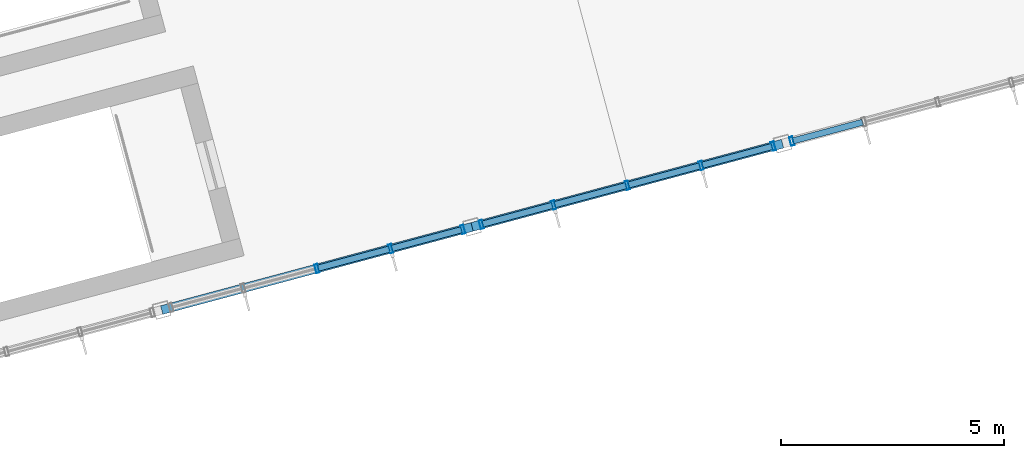
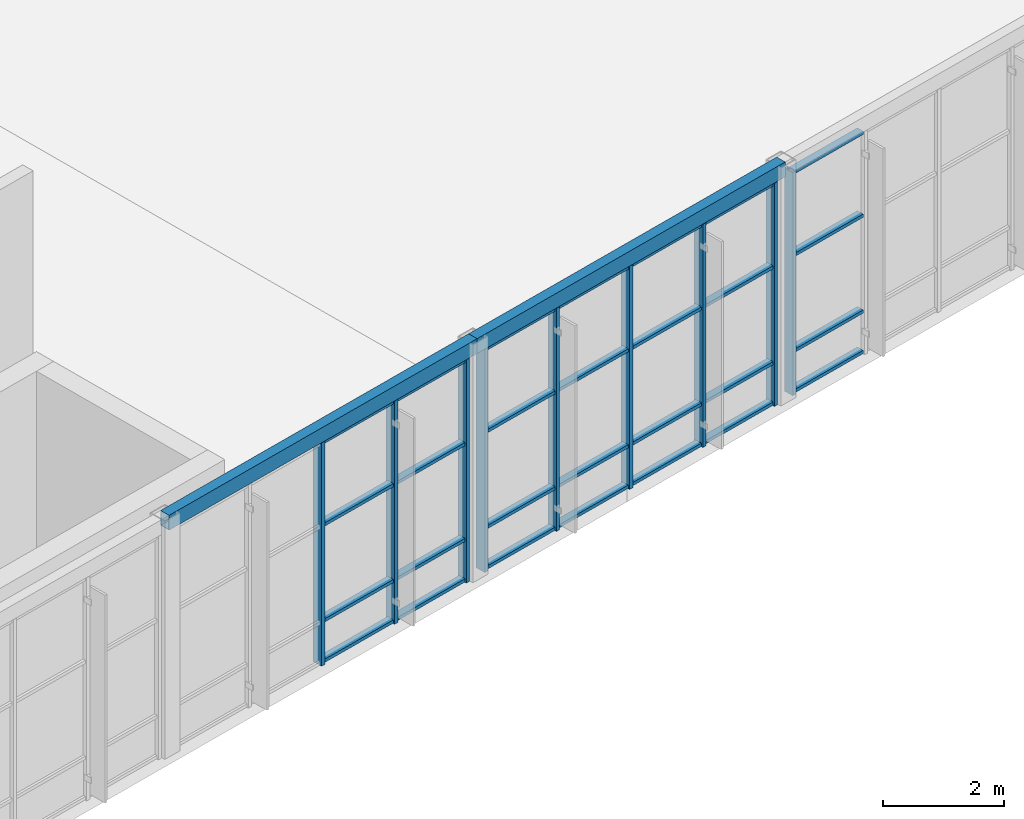
# One storey, part 19 of 99: 37 members, 2 beams, 3 elements without a shape of their own.
"""IFC4 building model written with IfcOpenShell, lengths in metres."""

from ifc_helpers import new_model, si_unit, direction, frame, origin, origin_2d, place, context, subcontext, project, spatial, hollow_rectangle, extrude, material, layer, layer_set, material_profile, profile_set, type_object, element, aggregate, save


model = new_model("IFC4")

# Units and contexts
model_context = context("Model", 3, precision=1e-05, world=origin(), true_north=direction((0.0, 1.0)))
body_context = subcontext(model_context, "Body", "Model", "MODEL_VIEW")
ifc_project = project(units=[si_unit("LENGTHUNIT", "METRE"), si_unit("AREAUNIT", "SQUARE_METRE"), si_unit("VOLUMEUNIT", "CUBIC_METRE"), si_unit("PLANEANGLEUNIT", "RADIAN"), si_unit("MASSUNIT", "GRAM", prefix="KILO")], contexts=[model_context])

# Site, building, storey
site_placement = place(None, origin())
site = spatial("IfcSite", under=ifc_project, at=site_placement, CompositionType="ELEMENT")
building_placement = place(site_placement, origin())
building = spatial("IfcBuilding", under=site, at=building_placement, Name="Ventoquebrada Cableway Terminal", CompositionType="ELEMENT")
storey_placement = place(building_placement, frame((0.0, 0.0, 9.60009765625)))
storey = spatial("IfcBuildingStorey", under=building, at=storey_placement, Name="L02", CompositionType="ELEMENT", Elevation=9.60009765625)

# Curtain wall, members
ifc_material_1 = material(Name="Anodized thermally-broken aluminium", Category="aluminium")
ifc_layer = layer(ifc_material_1, 0.159912109375)
ifc_layer_set = layer_set([ifc_layer], Name="Anodized thermally-broken aluminium")
curtain_wall_type = type_object("IfcCurtainWallType", Name="CW-T40", PredefinedType="USERDEFINED", material=ifc_layer_set)
curtain_wall_1_placement = place(storey_placement, origin())
curtain_wall_1 = element("IfcCurtainWall", 1, at=curtain_wall_1_placement, inside=storey, type_object=curtain_wall_type, Name="Unitised glazed curtain wall CW-102", ObjectType="UNITISED CURTAIN WALL", PredefinedType="USERDEFINED")
ifc_material_profile_1 = material_profile(ifc_material_1, hollow_rectangle(XDim=0.074951171875, YDim=0.199951171875, WallThickness=0.00439453125, at=origin_2d()), Name="CW-MUL-75X200")
ifc_profile_set_1 = profile_set([ifc_material_profile_1], Name="Anodized thermally-broken aluminium")
member_type_1 = type_object("IfcMemberType", Name="CWM-02", PredefinedType="MULLION", material=ifc_profile_set_1)
member_1_placement = place(storey_placement, frame((62.409912109375, 72.5791015625, -0.008056640625), z_axis=(0.0, 0.0, 1.0), x_axis=(0.965966469573, 0.258667314636, 0.0)))
member_1 = element("IfcMember", 2, at=member_1_placement, type_object=member_type_1, Name="Curtain wall mullion FML-0497", PredefinedType="MULLION", context=body_context, shape_type="SweptSolid", body=[
    extrude(hollow_rectangle(XDim=0.074951171875, YDim=0.199951171875, WallThickness=0.00439453125, at=origin_2d()), origin(), (0.0, 0.0, 1.0), 4.5029296875),
])
member_2_placement = place(storey_placement, frame((64.06103515625, 73.02197265625, -0.008056640625), z_axis=(0.0, 0.0, 1.0), x_axis=(0.965966469573, 0.258667314636, 0.0)))
member_2 = element("IfcMember", 3, at=member_2_placement, type_object=member_type_1, Name="Curtain wall mullion FML-0498", PredefinedType="MULLION", context=body_context, shape_type="SweptSolid", body=[
    extrude(hollow_rectangle(XDim=0.074951171875, YDim=0.199951171875, WallThickness=0.00439453125, at=origin_2d()), origin(), (0.0, 0.0, 1.0), 4.5029296875),
])
member_3_placement = place(storey_placement, frame((65.678955078125, 73.455078125, -0.008056640625), z_axis=(0.0, 0.0, 1.0), x_axis=(0.965966469573, 0.258667314636, 0.0)))
member_3 = element("IfcMember", 4, at=member_3_placement, type_object=member_type_1, Name="Curtain wall mullion FML-0499", PredefinedType="MULLION", context=body_context, shape_type="SweptSolid", body=[
    extrude(hollow_rectangle(XDim=0.074951171875, YDim=0.199951171875, WallThickness=0.00439453125, at=origin_2d()), origin(), (0.0, 0.0, 1.0), 4.5029296875),
])

curtain_wall_2_placement = place(storey_placement, origin())
curtain_wall_2 = element("IfcCurtainWall", 5, at=curtain_wall_2_placement, inside=storey, type_object=curtain_wall_type, Name="Unitised glazed curtain wall CW-103", ObjectType="UNITISED CURTAIN WALL", PredefinedType="USERDEFINED")
member_4_placement = place(storey_placement, frame((66.094970703125, 73.56689453125, -0.008056640625), z_axis=(0.0, 0.0, 1.0), x_axis=(0.965939376699, 0.25876846899, 0.0)))
member_4 = element("IfcMember", 6, at=member_4_placement, type_object=member_type_1, Name="Curtain wall mullion FML-0500", PredefinedType="MULLION", context=body_context, shape_type="SweptSolid", body=[
    extrude(hollow_rectangle(XDim=0.074951171875, YDim=0.199951171875, WallThickness=0.00439453125, at=origin_2d()), origin(), (0.0, 0.0, 1.0), 4.5029296875),
])
member_5_placement = place(storey_placement, frame((67.712890625, 74.0009765625, -0.008056640625), z_axis=(0.0, 0.0, 1.0), x_axis=(0.965939376699, 0.25876846899, 0.0)))
member_5 = element("IfcMember", 7, at=member_5_placement, type_object=member_type_1, Name="Curtain wall mullion FML-0501", PredefinedType="MULLION", context=body_context, shape_type="SweptSolid", body=[
    extrude(hollow_rectangle(XDim=0.074951171875, YDim=0.199951171875, WallThickness=0.00439453125, at=origin_2d()), origin(), (0.0, 0.0, 1.0), 4.5029296875),
])
member_6_placement = place(storey_placement, frame((69.364990234375, 74.443115234375, -0.008056640625), z_axis=(0.0, 0.0, 1.0), x_axis=(0.965939376699, 0.25876846899, 0.0)))
member_6 = element("IfcMember", 8, at=member_6_placement, type_object=member_type_1, Name="Curtain wall mullion FML-0502", PredefinedType="MULLION", context=body_context, shape_type="SweptSolid", body=[
    extrude(hollow_rectangle(XDim=0.074951171875, YDim=0.199951171875, WallThickness=0.00439453125, at=origin_2d()), origin(), (0.0, 0.0, 1.0), 4.5029296875),
])
member_7_placement = place(storey_placement, frame((71.01611328125, 74.885986328125, -0.008056640625), z_axis=(0.0, 0.0, 1.0), x_axis=(0.965939376699, 0.25876846899, 0.0)))
member_7 = element("IfcMember", 9, at=member_7_placement, type_object=member_type_1, Name="Curtain wall mullion FML-0503", PredefinedType="MULLION", context=body_context, shape_type="SweptSolid", body=[
    extrude(hollow_rectangle(XDim=0.074951171875, YDim=0.199951171875, WallThickness=0.00439453125, at=origin_2d()), origin(), (0.0, 0.0, 1.0), 4.5029296875),
])
member_8_placement = place(storey_placement, frame((72.634033203125, 75.319091796875, -0.008056640625), z_axis=(0.0, 0.0, 1.0), x_axis=(0.965939376699, 0.25876846899, 0.0)))
member_8 = element("IfcMember", 10, at=member_8_placement, type_object=member_type_1, Name="Curtain wall mullion FML-0504", PredefinedType="MULLION", context=body_context, shape_type="SweptSolid", body=[
    extrude(hollow_rectangle(XDim=0.074951171875, YDim=0.199951171875, WallThickness=0.00439453125, at=origin_2d()), origin(), (0.0, 0.0, 1.0), 4.5029296875),
])

# Curtain wall, member
curtain_wall_3_placement = place(storey_placement, origin())
curtain_wall_3 = element("IfcCurtainWall", 11, at=curtain_wall_3_placement, inside=storey, type_object=curtain_wall_type, Name="Unitised glazed curtain wall CW-104", ObjectType="UNITISED CURTAIN WALL", PredefinedType="USERDEFINED")
member_9_placement = place(storey_placement, frame((73.050048828125, 75.430908203125, -0.008056640625), z_axis=(0.0, 0.0, 1.0), x_axis=(0.965975498177, 0.258633595888, 0.0)))
member_9 = element("IfcMember", 12, at=member_9_placement, type_object=member_type_1, Name="Curtain wall mullion FML-0505", PredefinedType="MULLION", context=body_context, shape_type="SweptSolid", body=[
    extrude(hollow_rectangle(XDim=0.074951171875, YDim=0.199951171875, WallThickness=0.00439453125, at=origin_2d()), origin(), (0.0, 0.0, 1.0), 4.5029296875),
])

# Member
ifc_material_profile_2 = material_profile(ifc_material_1, hollow_rectangle(XDim=0.06494140625, YDim=0.139892578125, WallThickness=0.00390625, at=origin_2d()), Name="CW-TRN-65X140")
ifc_profile_set_2 = profile_set([ifc_material_profile_2], Name="Anodized thermally-broken aluminium")
member_type_2 = type_object("IfcMemberType", Name="CWT-01", PredefinedType="USERDEFINED", material=ifc_profile_set_2)
member_10_placement = place(storey_placement, frame((62.44091796875, 72.587890625, 0.034912109375), z_axis=(0.966040060403, 0.25839234063, 0.0), x_axis=(0.0, 0.0, 1.0)))
member_10 = element("IfcMember", 13, at=member_10_placement, type_object=member_type_2, Name="Curtain wall transom FTR-1460", ObjectType="TRANSOM", PredefinedType="USERDEFINED", context=body_context, shape_type="SweptSolid", body=[
    extrude(hollow_rectangle(XDim=0.06494140625, YDim=0.139892578125, WallThickness=0.00390625, at=origin_2d()), origin(), (0.0, 0.0, 1.0), 1.64501953125),
])

member_11_placement = place(storey_placement, frame((62.44091796875, 72.587890625, 0.849853515625), z_axis=(0.966040060403, 0.25839234063, 0.0), x_axis=(0.0, 0.0, 1.0)))
member_11 = element("IfcMember", 14, at=member_11_placement, type_object=member_type_2, Name="Curtain wall transom FTR-1461", ObjectType="TRANSOM", PredefinedType="USERDEFINED", context=body_context, shape_type="SweptSolid", body=[
    extrude(hollow_rectangle(XDim=0.06494140625, YDim=0.139892578125, WallThickness=0.00390625, at=origin_2d()), origin(), (0.0, 0.0, 1.0), 1.64501953125),
])

member_12_placement = place(storey_placement, frame((62.44091796875, 72.587890625, 2.783935546875), z_axis=(0.966040060403, 0.25839234063, 0.0), x_axis=(0.0, 0.0, 1.0)))
member_12 = element("IfcMember", 15, at=member_12_placement, type_object=member_type_2, Name="Curtain wall transom FTR-1462", ObjectType="TRANSOM", PredefinedType="USERDEFINED", context=body_context, shape_type="SweptSolid", body=[
    extrude(hollow_rectangle(XDim=0.06494140625, YDim=0.139892578125, WallThickness=0.00390625, at=origin_2d()), origin(), (0.0, 0.0, 1.0), 1.64501953125),
])

member_13_placement = place(storey_placement, frame((62.44091796875, 72.587890625, 4.454833984375), z_axis=(0.966040060403, 0.25839234063, 0.0), x_axis=(0.0, 0.0, 1.0)))
member_13 = element("IfcMember", 16, at=member_13_placement, type_object=member_type_2, Name="Curtain wall transom FTR-1463", ObjectType="TRANSOM", PredefinedType="USERDEFINED", context=body_context, shape_type="SweptSolid", body=[
    extrude(hollow_rectangle(XDim=0.06494140625, YDim=0.139892578125, WallThickness=0.00390625, at=origin_2d()), origin(), (0.0, 0.0, 1.0), 1.64501953125),
])

member_14_placement = place(storey_placement, frame((64.093017578125, 73.030029296875, 0.034912109375), z_axis=(0.965871529052, 0.259021600192, 0.0), x_axis=(0.0, 0.0, 1.0)))
member_14 = element("IfcMember", 17, at=member_14_placement, type_object=member_type_2, Name="Curtain wall transom FTR-1464", ObjectType="TRANSOM", PredefinedType="USERDEFINED", context=body_context, shape_type="SweptSolid", body=[
    extrude(hollow_rectangle(XDim=0.06494140625, YDim=0.139892578125, WallThickness=0.00390625, at=origin_2d()), origin(), (0.0, 0.0, 1.0), 1.60986328125),
])

member_15_placement = place(storey_placement, frame((64.093017578125, 73.030029296875, 0.849853515625), z_axis=(0.965871529052, 0.259021600192, 0.0), x_axis=(0.0, 0.0, 1.0)))
member_15 = element("IfcMember", 18, at=member_15_placement, type_object=member_type_2, Name="Curtain wall transom FTR-1465", ObjectType="TRANSOM", PredefinedType="USERDEFINED", context=body_context, shape_type="SweptSolid", body=[
    extrude(hollow_rectangle(XDim=0.06494140625, YDim=0.139892578125, WallThickness=0.00390625, at=origin_2d()), origin(), (0.0, 0.0, 1.0), 1.60986328125),
])

member_16_placement = place(storey_placement, frame((64.093017578125, 73.030029296875, 2.783935546875), z_axis=(0.965871529052, 0.259021600192, 0.0), x_axis=(0.0, 0.0, 1.0)))
member_16 = element("IfcMember", 19, at=member_16_placement, type_object=member_type_2, Name="Curtain wall transom FTR-1466", ObjectType="TRANSOM", PredefinedType="USERDEFINED", context=body_context, shape_type="SweptSolid", body=[
    extrude(hollow_rectangle(XDim=0.06494140625, YDim=0.139892578125, WallThickness=0.00390625, at=origin_2d()), origin(), (0.0, 0.0, 1.0), 1.60986328125),
])

member_17_placement = place(storey_placement, frame((64.093017578125, 73.030029296875, 4.454833984375), z_axis=(0.965871529052, 0.259021600192, 0.0), x_axis=(0.0, 0.0, 1.0)))
member_17 = element("IfcMember", 20, at=member_17_placement, type_object=member_type_2, Name="Curtain wall transom FTR-1467", ObjectType="TRANSOM", PredefinedType="USERDEFINED", context=body_context, shape_type="SweptSolid", body=[
    extrude(hollow_rectangle(XDim=0.06494140625, YDim=0.139892578125, WallThickness=0.00390625, at=origin_2d()), origin(), (0.0, 0.0, 1.0), 1.60986328125),
])

aggregate(curtain_wall_1, [member_1, member_2, member_3, member_10, member_11, member_12, member_13, member_14, member_15, member_16, member_17])

member_18_placement = place(storey_placement, frame((66.1259765625, 73.574951171875, 0.034912109375), z_axis=(0.965871529052, 0.259021600192, 0.0), x_axis=(0.0, 0.0, 1.0)))
member_18 = element("IfcMember", 21, at=member_18_placement, type_object=member_type_2, Name="Curtain wall transom FTR-1468", ObjectType="TRANSOM", PredefinedType="USERDEFINED", context=body_context, shape_type="SweptSolid", body=[
    extrude(hollow_rectangle(XDim=0.06494140625, YDim=0.139892578125, WallThickness=0.00390625, at=origin_2d()), origin(), (0.0, 0.0, 1.0), 1.60986328125),
])

member_19_placement = place(storey_placement, frame((66.1259765625, 73.574951171875, 0.849853515625), z_axis=(0.965871529052, 0.259021600192, 0.0), x_axis=(0.0, 0.0, 1.0)))
member_19 = element("IfcMember", 22, at=member_19_placement, type_object=member_type_2, Name="Curtain wall transom FTR-1469", ObjectType="TRANSOM", PredefinedType="USERDEFINED", context=body_context, shape_type="SweptSolid", body=[
    extrude(hollow_rectangle(XDim=0.06494140625, YDim=0.139892578125, WallThickness=0.00390625, at=origin_2d()), origin(), (0.0, 0.0, 1.0), 1.60986328125),
])

member_20_placement = place(storey_placement, frame((66.1259765625, 73.574951171875, 2.783935546875), z_axis=(0.965871529052, 0.259021600192, 0.0), x_axis=(0.0, 0.0, 1.0)))
member_20 = element("IfcMember", 23, at=member_20_placement, type_object=member_type_2, Name="Curtain wall transom FTR-1470", ObjectType="TRANSOM", PredefinedType="USERDEFINED", context=body_context, shape_type="SweptSolid", body=[
    extrude(hollow_rectangle(XDim=0.06494140625, YDim=0.139892578125, WallThickness=0.00390625, at=origin_2d()), origin(), (0.0, 0.0, 1.0), 1.60986328125),
])

member_21_placement = place(storey_placement, frame((66.1259765625, 73.574951171875, 4.454833984375), z_axis=(0.965871529052, 0.259021600192, 0.0), x_axis=(0.0, 0.0, 1.0)))
member_21 = element("IfcMember", 24, at=member_21_placement, type_object=member_type_2, Name="Curtain wall transom FTR-1471", ObjectType="TRANSOM", PredefinedType="USERDEFINED", context=body_context, shape_type="SweptSolid", body=[
    extrude(hollow_rectangle(XDim=0.06494140625, YDim=0.139892578125, WallThickness=0.00390625, at=origin_2d()), origin(), (0.0, 0.0, 1.0), 1.60986328125),
])

member_22_placement = place(storey_placement, frame((67.743896484375, 74.009033203125, 0.034912109375), z_axis=(0.965891735452, 0.258946240339, 0.0), x_axis=(0.0, 0.0, 1.0)))
member_22 = element("IfcMember", 25, at=member_22_placement, type_object=member_type_2, Name="Curtain wall transom FTR-1472", ObjectType="TRANSOM", PredefinedType="USERDEFINED", context=body_context, shape_type="SweptSolid", body=[
    extrude(hollow_rectangle(XDim=0.06494140625, YDim=0.139892578125, WallThickness=0.00390625, at=origin_2d()), origin(), (0.0, 0.0, 1.0), 1.645263671875),
])

member_23_placement = place(storey_placement, frame((67.743896484375, 74.009033203125, 0.849853515625), z_axis=(0.965891735452, 0.258946240339, 0.0), x_axis=(0.0, 0.0, 1.0)))
member_23 = element("IfcMember", 26, at=member_23_placement, type_object=member_type_2, Name="Curtain wall transom FTR-1473", ObjectType="TRANSOM", PredefinedType="USERDEFINED", context=body_context, shape_type="SweptSolid", body=[
    extrude(hollow_rectangle(XDim=0.06494140625, YDim=0.139892578125, WallThickness=0.00390625, at=origin_2d()), origin(), (0.0, 0.0, 1.0), 1.645263671875),
])

member_24_placement = place(storey_placement, frame((67.743896484375, 74.009033203125, 2.783935546875), z_axis=(0.965891735452, 0.258946240339, 0.0), x_axis=(0.0, 0.0, 1.0)))
member_24 = element("IfcMember", 27, at=member_24_placement, type_object=member_type_2, Name="Curtain wall transom FTR-1474", ObjectType="TRANSOM", PredefinedType="USERDEFINED", context=body_context, shape_type="SweptSolid", body=[
    extrude(hollow_rectangle(XDim=0.06494140625, YDim=0.139892578125, WallThickness=0.00390625, at=origin_2d()), origin(), (0.0, 0.0, 1.0), 1.645263671875),
])

member_25_placement = place(storey_placement, frame((67.743896484375, 74.009033203125, 4.454833984375), z_axis=(0.965891735452, 0.258946240339, 0.0), x_axis=(0.0, 0.0, 1.0)))
member_25 = element("IfcMember", 28, at=member_25_placement, type_object=member_type_2, Name="Curtain wall transom FTR-1475", ObjectType="TRANSOM", PredefinedType="USERDEFINED", context=body_context, shape_type="SweptSolid", body=[
    extrude(hollow_rectangle(XDim=0.06494140625, YDim=0.139892578125, WallThickness=0.00390625, at=origin_2d()), origin(), (0.0, 0.0, 1.0), 1.645263671875),
])

member_26_placement = place(storey_placement, frame((69.39599609375, 74.450927734375, 0.034912109375), z_axis=(0.965891735452, 0.258946240339, 0.0), x_axis=(0.0, 0.0, 1.0)))
member_26 = element("IfcMember", 29, at=member_26_placement, type_object=member_type_2, Name="Curtain wall transom FTR-1476", ObjectType="TRANSOM", PredefinedType="USERDEFINED", context=body_context, shape_type="SweptSolid", body=[
    extrude(hollow_rectangle(XDim=0.06494140625, YDim=0.139892578125, WallThickness=0.00390625, at=origin_2d()), origin(), (0.0, 0.0, 1.0), 1.645263671875),
])

member_27_placement = place(storey_placement, frame((69.39599609375, 74.450927734375, 0.849853515625), z_axis=(0.965891735452, 0.258946240339, 0.0), x_axis=(0.0, 0.0, 1.0)))
member_27 = element("IfcMember", 30, at=member_27_placement, type_object=member_type_2, Name="Curtain wall transom FTR-1477", ObjectType="TRANSOM", PredefinedType="USERDEFINED", context=body_context, shape_type="SweptSolid", body=[
    extrude(hollow_rectangle(XDim=0.06494140625, YDim=0.139892578125, WallThickness=0.00390625, at=origin_2d()), origin(), (0.0, 0.0, 1.0), 1.645263671875),
])

member_28_placement = place(storey_placement, frame((69.39599609375, 74.450927734375, 2.783935546875), z_axis=(0.965891735452, 0.258946240339, 0.0), x_axis=(0.0, 0.0, 1.0)))
member_28 = element("IfcMember", 31, at=member_28_placement, type_object=member_type_2, Name="Curtain wall transom FTR-1478", ObjectType="TRANSOM", PredefinedType="USERDEFINED", context=body_context, shape_type="SweptSolid", body=[
    extrude(hollow_rectangle(XDim=0.06494140625, YDim=0.139892578125, WallThickness=0.00390625, at=origin_2d()), origin(), (0.0, 0.0, 1.0), 1.645263671875),
])

member_29_placement = place(storey_placement, frame((69.39599609375, 74.450927734375, 4.454833984375), z_axis=(0.965891735452, 0.258946240339, 0.0), x_axis=(0.0, 0.0, 1.0)))
member_29 = element("IfcMember", 32, at=member_29_placement, type_object=member_type_2, Name="Curtain wall transom FTR-1479", ObjectType="TRANSOM", PredefinedType="USERDEFINED", context=body_context, shape_type="SweptSolid", body=[
    extrude(hollow_rectangle(XDim=0.06494140625, YDim=0.139892578125, WallThickness=0.00390625, at=origin_2d()), origin(), (0.0, 0.0, 1.0), 1.645263671875),
])

member_30_placement = place(storey_placement, frame((71.048095703125, 74.89404296875, 0.034912109375), z_axis=(0.965871529052, 0.259021600192, 0.0), x_axis=(0.0, 0.0, 1.0)))
member_30 = element("IfcMember", 33, at=member_30_placement, type_object=member_type_2, Name="Curtain wall transom FTR-1480", ObjectType="TRANSOM", PredefinedType="USERDEFINED", context=body_context, shape_type="SweptSolid", body=[
    extrude(hollow_rectangle(XDim=0.06494140625, YDim=0.139892578125, WallThickness=0.00390625, at=origin_2d()), origin(), (0.0, 0.0, 1.0), 1.60986328125),
])

member_31_placement = place(storey_placement, frame((71.048095703125, 74.89404296875, 0.849853515625), z_axis=(0.965871529052, 0.259021600192, 0.0), x_axis=(0.0, 0.0, 1.0)))
member_31 = element("IfcMember", 34, at=member_31_placement, type_object=member_type_2, Name="Curtain wall transom FTR-1481", ObjectType="TRANSOM", PredefinedType="USERDEFINED", context=body_context, shape_type="SweptSolid", body=[
    extrude(hollow_rectangle(XDim=0.06494140625, YDim=0.139892578125, WallThickness=0.00390625, at=origin_2d()), origin(), (0.0, 0.0, 1.0), 1.60986328125),
])

member_32_placement = place(storey_placement, frame((71.048095703125, 74.89404296875, 2.783935546875), z_axis=(0.965871529052, 0.259021600192, 0.0), x_axis=(0.0, 0.0, 1.0)))
member_32 = element("IfcMember", 35, at=member_32_placement, type_object=member_type_2, Name="Curtain wall transom FTR-1482", ObjectType="TRANSOM", PredefinedType="USERDEFINED", context=body_context, shape_type="SweptSolid", body=[
    extrude(hollow_rectangle(XDim=0.06494140625, YDim=0.139892578125, WallThickness=0.00390625, at=origin_2d()), origin(), (0.0, 0.0, 1.0), 1.60986328125),
])

member_33_placement = place(storey_placement, frame((71.048095703125, 74.89404296875, 4.454833984375), z_axis=(0.965871529052, 0.259021600192, 0.0), x_axis=(0.0, 0.0, 1.0)))
member_33 = element("IfcMember", 36, at=member_33_placement, type_object=member_type_2, Name="Curtain wall transom FTR-1483", ObjectType="TRANSOM", PredefinedType="USERDEFINED", context=body_context, shape_type="SweptSolid", body=[
    extrude(hollow_rectangle(XDim=0.06494140625, YDim=0.139892578125, WallThickness=0.00390625, at=origin_2d()), origin(), (0.0, 0.0, 1.0), 1.60986328125),
])

aggregate(curtain_wall_2, [member_4, member_5, member_6, member_7, member_8, member_18, member_19, member_20, member_21, member_22, member_23, member_24, member_25, member_26, member_27, member_28, member_29, member_30, member_31, member_32, member_33])

member_34_placement = place(storey_placement, frame((73.0810546875, 75.43896484375, 0.034912109375), z_axis=(0.965871529052, 0.259021600192, 0.0), x_axis=(0.0, 0.0, 1.0)))
member_34 = element("IfcMember", 37, at=member_34_placement, type_object=member_type_2, Name="Curtain wall transom FTR-1484", ObjectType="TRANSOM", PredefinedType="USERDEFINED", context=body_context, shape_type="SweptSolid", body=[
    extrude(hollow_rectangle(XDim=0.06494140625, YDim=0.139892578125, WallThickness=0.00390625, at=origin_2d()), origin(), (0.0, 0.0, 1.0), 1.60986328125),
])

member_35_placement = place(storey_placement, frame((73.0810546875, 75.43896484375, 0.849853515625), z_axis=(0.965871529052, 0.259021600192, 0.0), x_axis=(0.0, 0.0, 1.0)))
member_35 = element("IfcMember", 38, at=member_35_placement, type_object=member_type_2, Name="Curtain wall transom FTR-1485", ObjectType="TRANSOM", PredefinedType="USERDEFINED", context=body_context, shape_type="SweptSolid", body=[
    extrude(hollow_rectangle(XDim=0.06494140625, YDim=0.139892578125, WallThickness=0.00390625, at=origin_2d()), origin(), (0.0, 0.0, 1.0), 1.60986328125),
])

member_36_placement = place(storey_placement, frame((73.0810546875, 75.43896484375, 2.783935546875), z_axis=(0.965871529052, 0.259021600192, 0.0), x_axis=(0.0, 0.0, 1.0)))
member_36 = element("IfcMember", 39, at=member_36_placement, type_object=member_type_2, Name="Curtain wall transom FTR-1486", ObjectType="TRANSOM", PredefinedType="USERDEFINED", context=body_context, shape_type="SweptSolid", body=[
    extrude(hollow_rectangle(XDim=0.06494140625, YDim=0.139892578125, WallThickness=0.00390625, at=origin_2d()), origin(), (0.0, 0.0, 1.0), 1.60986328125),
])

member_37_placement = place(storey_placement, frame((73.0810546875, 75.43896484375, 4.454833984375), z_axis=(0.965871529052, 0.259021600192, 0.0), x_axis=(0.0, 0.0, 1.0)))
member_37 = element("IfcMember", 40, at=member_37_placement, type_object=member_type_2, Name="Curtain wall transom FTR-1487", ObjectType="TRANSOM", PredefinedType="USERDEFINED", context=body_context, shape_type="SweptSolid", body=[
    extrude(hollow_rectangle(XDim=0.06494140625, YDim=0.139892578125, WallThickness=0.00390625, at=origin_2d()), origin(), (0.0, 0.0, 1.0), 1.60986328125),
])

aggregate(curtain_wall_3, [member_9, member_34, member_35, member_36, member_37])

# Beams
ifc_material_2 = material(Name="Steel ASTM A500 Grade C", Category="steel")
ifc_material_profile_3 = material_profile(ifc_material_2, hollow_rectangle(XDim=0.199951171875, YDim=0.300048828125, WallThickness=0.012451171875, at=origin_2d()), Name="RHS300X200X12.5")
ifc_profile_set_3 = profile_set([ifc_material_profile_3], Name="Steel ASTM A500 Grade C")
beam_type = type_object("IfcBeamType", Name="SP-ST02", PredefinedType="SPANDREL", material=ifc_profile_set_3)
beam_1_placement = place(storey_placement, frame((58.93310546875, 71.64794921875, 4.64990234375), z_axis=(0.965934277216, 0.258787503754, 0.0), x_axis=(-0.258787503754, 0.965934277216, 0.0)))
element("IfcBeam", 41, at=beam_1_placement, inside=storey, type_object=beam_type, Name="Boarding hall perimeter tie beam FBM-1090", PredefinedType="SPANDREL", context=body_context, shape_type="SweptSolid", body=[
    extrude(hollow_rectangle(XDim=0.199951171875, YDim=0.300048828125, WallThickness=0.012451171875, at=origin_2d()), origin(), (0.0, 0.0, 1.0), 7.19921875),
])
beam_2_placement = place(storey_placement, frame((65.886962890625, 73.510986328125, 4.64990234375), z_axis=(0.96591172503, 0.258871665986, 0.0), x_axis=(-0.258871665986, 0.96591172503, 0.0)))
element("IfcBeam", 42, at=beam_2_placement, inside=storey, type_object=beam_type, Name="Boarding hall perimeter tie beam FBM-1091", PredefinedType="SPANDREL", context=body_context, shape_type="SweptSolid", body=[
    extrude(hollow_rectangle(XDim=0.199951171875, YDim=0.300048828125, WallThickness=0.012451171875, at=origin_2d()), origin(), (0.0, 0.0, 1.0), 7.200439453125),
])

save(model, "model.ifc")
